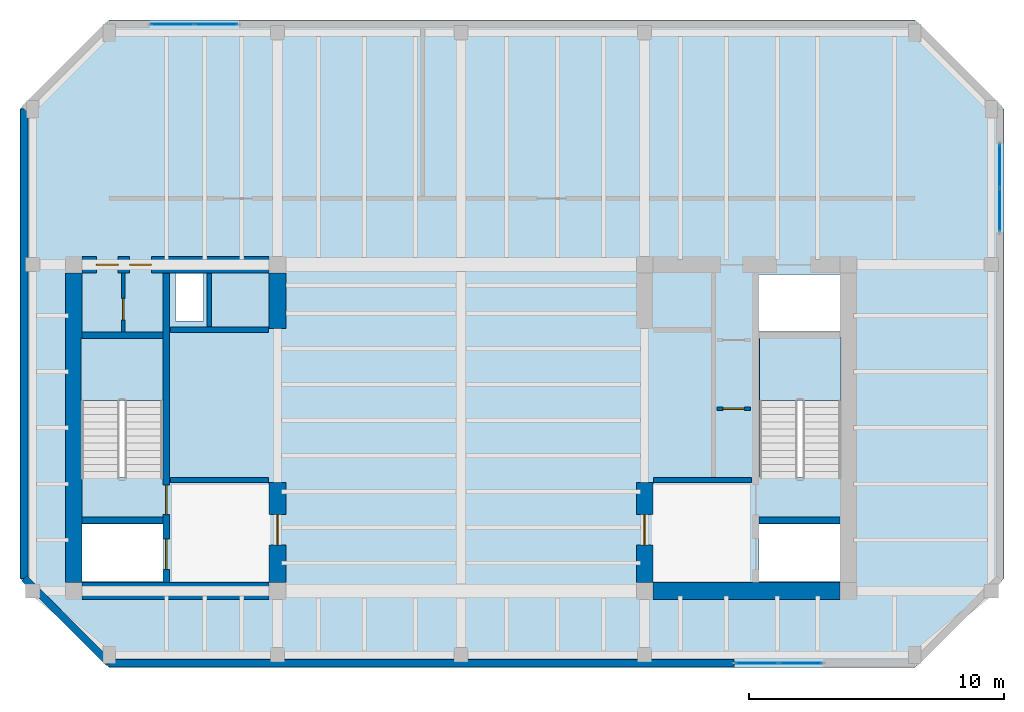
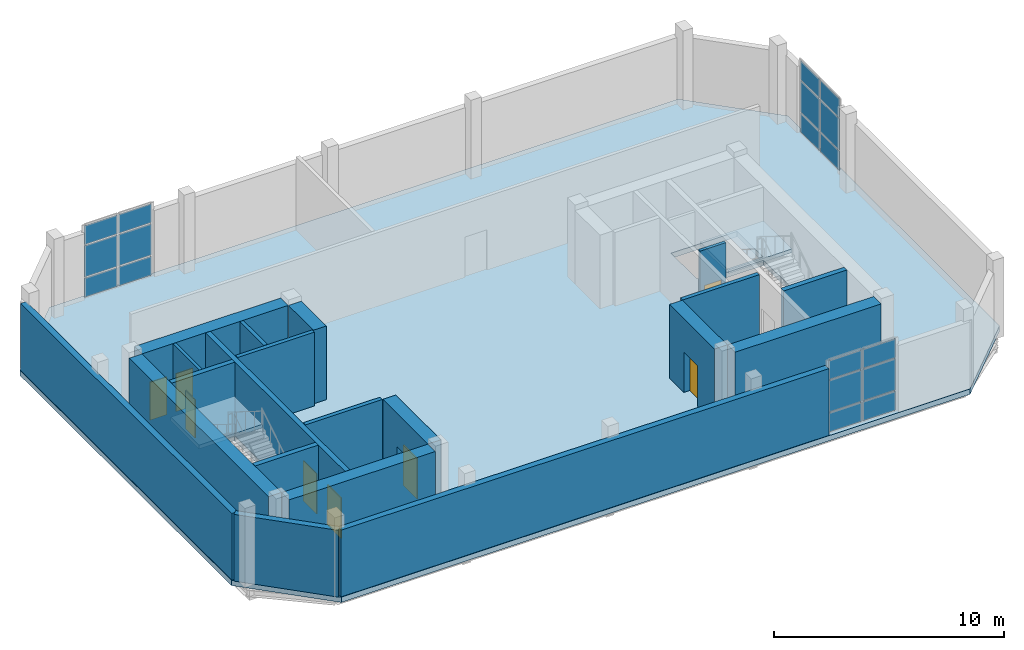
# One storey, part 5 of 7: 20 walls, 18 plates, 8 doors, 3 slabs, 8 openings, 5 elements without a shape of their own.
"""IFC4 building model written with IfcOpenShell, lengths in metres."""

import ifcopenshell
import ifcopenshell.guid

model = None  # the IFC model being written
_history = None  # IfcOwnerHistory: only IFC2X3 demands one
_inside = {}  # id of a spatial element -> (the spatial element, [elements in it])
_under = {}  # id of a project, library or spatial element -> (it, [spatial elements below it])
_declared = {}  # id of a project -> (the project, [libraries it declares])
_typed = {}  # id of a type object -> (the type object, [elements of that type])
_made_of = {}  # id of a material, layer set ... -> (it, [elements and type objects made of it])


def new_model(schema):
    """Start an empty IFC model of exactly this schema.

    Asked for "IFC4X3", IfcOpenShell would pick the latest addendum, in which some entities
    have other attributes; the version numbers below select the first issue.
    IFC2X3 requires an IfcOwnerHistory on every rooted entity: one is made here for all.
    """
    global model, _history
    if schema == "IFC4X3":
        model = ifcopenshell.file(schema_version=(4, 3, 0, 0))
    else:
        model = ifcopenshell.file(schema=schema)
    _inside.clear()
    _under.clear()
    _declared.clear()
    _typed.clear()
    _made_of.clear()
    _history = None
    if model.schema == "IFC2X3":
        org = make("IfcOrganization", Name="unknown")
        user = make(
            "IfcPersonAndOrganization",
            ThePerson=make("IfcPerson", FamilyName="unknown"),
            TheOrganization=org,
        )
        app = make(
            "IfcApplication",
            ApplicationDeveloper=org,
            Version="unknown",
            ApplicationFullName="unknown",
            ApplicationIdentifier="unknown",
        )
        _history = make(
            "IfcOwnerHistory",
            OwningUser=user,
            OwningApplication=app,
            ChangeAction="ADDED",
            CreationDate=0,
        )
    return model


def make(cls, **values):
    """One entity of the class cls with the attributes given. An attribute that is None is left unset."""
    return model.create_entity(
        cls, **{name: value for name, value in values.items() if value is not None}
    )


def rooted(cls, **values):
    """An entity with a GlobalId (a new one), such as an element, a storey or a relation."""
    return make(cls, GlobalId=ifcopenshell.guid.new(), OwnerHistory=_history, **values)


def si_unit(unit_type, name, prefix=None):
    """IfcSIUnit, for example si_unit("LENGTHUNIT", "METRE", prefix="MILLI")."""
    return make("IfcSIUnit", UnitType=unit_type, Prefix=prefix, Name=name)


def assignment(units):
    """IfcUnitAssignment: the units of a project."""
    return None if units is None else make("IfcUnitAssignment", Units=units)


def point(xyz):
    """IfcCartesianPoint."""
    return None if xyz is None else make("IfcCartesianPoint", Coordinates=xyz)


def direction(xyz):
    """IfcDirection."""
    return None if xyz is None else make("IfcDirection", DirectionRatios=xyz)


def frame(location, z_axis=None, x_axis=None):
    """IfcAxis2Placement3D, a coordinate frame: its origin and axes. An axis left out is left unset."""
    return make(
        "IfcAxis2Placement3D",
        Location=point(location),
        Axis=direction(z_axis),
        RefDirection=direction(x_axis),
    )


def frame_2d(location, x_axis=None):
    """IfcAxis2Placement2D, a coordinate frame in the plane: its origin and x axis."""
    return make(
        "IfcAxis2Placement2D", Location=point(location), RefDirection=direction(x_axis)
    )


def origin():
    """The frame at (0, 0, 0) with its axes left unset."""
    return frame((0.0, 0.0, 0.0))


def origin_2d():
    """The frame at (0, 0) in the plane with its x axis left unset."""
    return frame_2d((0.0, 0.0))


def place(relative_to, where):
    """IfcLocalPlacement: puts the frame where relative to a parent placement (None: the world)."""
    return make(
        "IfcLocalPlacement", PlacementRelTo=relative_to, RelativePlacement=where
    )


def context(
    kind, dimensions, precision=None, world=None, true_north=None, identifier=None
):
    """IfcGeometricRepresentationContext, for example the 3D "Model" context."""
    return make(
        "IfcGeometricRepresentationContext",
        ContextIdentifier=identifier,
        ContextType=kind,
        CoordinateSpaceDimension=dimensions,
        Precision=precision,
        WorldCoordinateSystem=world,
        TrueNorth=true_north,
    )


def subcontext(parent, identifier, kind, view, scale=None):
    """IfcGeometricRepresentationSubContext, for example "Body" below "Model"."""
    return make(
        "IfcGeometricRepresentationSubContext",
        ContextIdentifier=identifier,
        ContextType=kind,
        ParentContext=parent,
        TargetScale=scale,
        TargetView=view,
    )


def project(units=None, contexts=None):
    """IfcProject with its units and contexts."""
    return rooted(
        "IfcProject",
        Name="project",
        RepresentationContexts=contexts,
        UnitsInContext=assignment(units),
    )


def spatial(cls, under=None, at=None, **own):
    """A site, building, storey or space (cls), placed at a placement, below another one or the project."""
    s = rooted(cls, ObjectPlacement=at, **own)
    if under is not None:
        _under.setdefault(under.id(), (under, []))[1].append(s)
    return s


def polyline(points):
    """IfcPolyline through the points."""
    return make("IfcPolyline", Points=[point(p) for p in points])


def profile(cls, at=None, kind="AREA", **sizes):
    """A parametric profile (cls). Its sizes go by their IFC names, for example OverallWidth=200.0."""
    return make(cls, ProfileType=kind, Position=at, **sizes)


def rectangle(**sizes):
    """IfcRectangleProfileDef."""
    return profile("IfcRectangleProfileDef", **sizes)


def outline(outer, holes=None, kind="AREA"):
    """IfcArbitraryClosedProfileDef: a profile drawn as a closed curve; with holes, ...WithVoids."""
    if holes is None:
        return make("IfcArbitraryClosedProfileDef", ProfileType=kind, OuterCurve=outer)
    return make(
        "IfcArbitraryProfileDefWithVoids",
        ProfileType=kind,
        OuterCurve=outer,
        InnerCurves=holes,
    )


def extrude(swept, where, along, depth):
    """IfcExtrudedAreaSolid: the profile swept, set in the frame where, extruded along a direction by depth."""
    return make(
        "IfcExtrudedAreaSolid",
        SweptArea=swept,
        Position=where,
        ExtrudedDirection=direction(along),
        Depth=depth,
    )


def shape(context_of_items, identifier, shape_type, items):
    """IfcShapeRepresentation: the items that make up one representation, for example the "Body"."""
    return make(
        "IfcShapeRepresentation",
        ContextOfItems=context_of_items,
        RepresentationIdentifier=identifier,
        RepresentationType=shape_type,
        Items=items,
    )


def material(Name=None, Category=None):
    """IfcMaterial."""
    return make("IfcMaterial", Name=Name, Category=Category)


def layer(
    of_material, thickness, ventilated=None, Name=None, Category=None, Priority=None
):
    """IfcMaterialLayer: one layer of a wall or slab, of a material (None: an air gap)."""
    return make(
        "IfcMaterialLayer",
        Material=of_material,
        LayerThickness=thickness,
        IsVentilated=ventilated,
        Name=Name,
        Category=Category,
        Priority=Priority,
    )


def layer_set(layers, Name=None):
    """IfcMaterialLayerSet."""
    return make("IfcMaterialLayerSet", MaterialLayers=layers, LayerSetName=Name)


def made_of(thing, what):
    """Note that an element or type object is made of a material, layer set ...; save() writes the relation."""
    if what is not None:
        _made_of.setdefault(what.id(), (what, []))[1].append(thing)
    return thing


def type_object(cls, material=None, **own):
    """A type object (cls), such as IfcWallType, which elements share."""
    return made_of(rooted(cls, **own), material)


def element(
    cls,
    number,
    at=None,
    inside=None,
    cuts=None,
    type_object=None,
    material=None,
    context=None,
    identifier="Body",
    shape_type=None,
    held_by="IfcProductDefinitionShape",
    body=None,
    shapes=None,
    **own,
):
    """One element of the class cls, such as IfcWall. Its Tag is "e" and its number.

    at: its placement. inside: the storey or other place that contains it. cuts: it is an
    opening in that element (IfcRelVoidsElement). A single representation is given by context,
    identifier, shape_type and body (its items); several are given by shapes. held_by: the class
    of the entity that holds the representations. save() writes the other relations.
    """
    e = rooted(cls, Tag="e%d" % number, ObjectPlacement=at, **own)
    if body is not None:
        shapes = [shape(context, identifier, shape_type, body)]
    if shapes is not None:
        e.Representation = make(held_by, Representations=shapes)
    if inside is not None:
        _inside.setdefault(inside.id(), (inside, []))[1].append(e)
    if cuts is not None:
        rooted(
            "IfcRelVoidsElement", RelatingBuildingElement=cuts, RelatedOpeningElement=e
        )
    if type_object is not None:
        _typed.setdefault(type_object.id(), (type_object, []))[1].append(e)
    return made_of(e, material)


def fill(opening, filler):
    """IfcRelFillsElement: the door or window that sits in an opening."""
    return rooted(
        "IfcRelFillsElement",
        RelatingOpeningElement=opening,
        RelatedBuildingElement=filler,
    )


def aggregate(whole, parts):
    """IfcRelAggregates: a whole, such as a stair, and the parts it consists of."""
    return rooted("IfcRelAggregates", RelatingObject=whole, RelatedObjects=parts)


def save(model, path):
    """Write the relations noted so far, then the file.

    IfcRelAggregates (storeys below a building ...), IfcRelContainedInSpatialStructure (elements
    in a storey), IfcRelDefinesByType, IfcRelAssociatesMaterial and IfcRelDeclares: one each for
    every whole, place, type object, material and project.
    """
    for whole, parts in _under.values():
        aggregate(whole, parts)
    for where, things in _inside.values():
        rooted(
            "IfcRelContainedInSpatialStructure",
            RelatedElements=things,
            RelatingStructure=where,
        )
    for kind, things in _typed.values():
        rooted("IfcRelDefinesByType", RelatedObjects=things, RelatingType=kind)
    for what, things in _made_of.values():
        rooted("IfcRelAssociatesMaterial", RelatedObjects=things, RelatingMaterial=what)
    for by, libraries in _declared.values():
        rooted("IfcRelDeclares", RelatingContext=by, RelatedDefinitions=libraries)
    model.write(path)


model = new_model("IFC4")

# Units and contexts
model_context = context("Model", 3, precision=1e-05, world=origin(), true_north=direction((0.0, 1.0)))
body_context = subcontext(model_context, "Body", "Model", "MODEL_VIEW")
ifc_project = project(units=[si_unit("LENGTHUNIT", "METRE"), si_unit("AREAUNIT", "SQUARE_METRE"), si_unit("VOLUMEUNIT", "CUBIC_METRE"), si_unit("PLANEANGLEUNIT", "RADIAN"), si_unit("MASSUNIT", "GRAM", prefix="KILO")], contexts=[model_context])

# Site, building, storey
site_placement = place(None, origin())
site = spatial("IfcSite", under=ifc_project, at=site_placement, CompositionType="ELEMENT")
building_placement = place(site_placement, origin())
building = spatial("IfcBuilding", under=site, at=building_placement, Name="Kranthara Brick Stack", CompositionType="ELEMENT")
storey_placement = place(building_placement, frame((0.0, 0.0, 296.39990234375)))
storey = spatial("IfcBuildingStorey", under=building, at=storey_placement, Name="L78", CompositionType="ELEMENT", Elevation=296.39990234375)

# Curtain wall, plates
ifc_material_1 = material(Name="Bronze anodised aluminium and low-E glass", Category="aluminium")
ifc_layer_1 = layer(ifc_material_1, 0.25)
ifc_layer_set_1 = layer_set([ifc_layer_1], Name="Bronze anodised aluminium and low-E glass")
curtain_wall_type = type_object("IfcCurtainWallType", Name="CW-SYS6-CROWN", PredefinedType="USERDEFINED", material=ifc_layer_set_1)
curtain_wall_1_placement = place(storey_placement, origin())
curtain_wall_1 = element("IfcCurtainWall", 1, at=curtain_wall_1_placement, inside=storey, type_object=curtain_wall_type, Name="L78 Curtain Wall CW6-L78-01", ObjectType="UNITISED CURTAIN WALL", PredefinedType="USERDEFINED")
ifc_material_2 = material(Name="Double-glazed low-E vision glass", Category="glass")
ifc_layer_2 = layer(ifc_material_2, 0.028076171875)
ifc_layer_set_2 = layer_set([ifc_layer_2], Name="Double-glazed low-E vision glass")
plate_type = type_object("IfcPlateType", Name="CWP-GLZ-28", PredefinedType="CURTAIN_PANEL", material=ifc_layer_set_2)
plate_1_placement = place(storey_placement, frame((41.32177734375, 17.969970703125, 0.065185546875), z_axis=(0.0, 0.0, 1.0), x_axis=(-1.0, 0.0, 0.0)))
plate_1 = element("IfcPlate", 2, at=plate_1_placement, type_object=plate_type, Name="CW panel 1.1", PredefinedType="CURTAIN_PANEL", context=body_context, shape_type="SweptSolid", body=[
    extrude(rectangle(XDim=1.652587890625, YDim=0.028076171875, at=origin_2d()), origin(), (0.0, 0.0, 1.0), 1.0),
])
plate_2_placement = place(storey_placement, frame((41.32177734375, 17.969970703125, 1.13037109375), z_axis=(0.0, 0.0, 1.0), x_axis=(-1.0, 0.0, 0.0)))
plate_2 = element("IfcPlate", 3, at=plate_2_placement, type_object=plate_type, Name="CW panel 1.2", PredefinedType="CURTAIN_PANEL", context=body_context, shape_type="SweptSolid", body=[
    extrude(rectangle(XDim=1.652587890625, YDim=0.028076171875, at=origin_2d()), origin(), (0.0, 0.0, 1.0), 1.659912109375),
])
plate_3_placement = place(storey_placement, frame((41.32177734375, 17.969970703125, 2.85498046875), z_axis=(0.0, 0.0, 1.0), x_axis=(-1.0, 0.0, 0.0)))
plate_3 = element("IfcPlate", 4, at=plate_3_placement, type_object=plate_type, Name="CW panel 1.3", PredefinedType="CURTAIN_PANEL", context=body_context, shape_type="SweptSolid", body=[
    extrude(rectangle(XDim=1.652587890625, YDim=0.028076171875, at=origin_2d()), origin(), (0.0, 0.0, 1.0), 1.0),
])
plate_4_placement = place(storey_placement, frame((39.604248046875, 17.969970703125, 0.065185546875), z_axis=(0.0, 0.0, 1.0), x_axis=(-1.0, 0.0, 0.0)))
plate_4 = element("IfcPlate", 5, at=plate_4_placement, type_object=plate_type, Name="CW panel 2.1", PredefinedType="CURTAIN_PANEL", context=body_context, shape_type="SweptSolid", body=[
    extrude(rectangle(XDim=1.652587890625, YDim=0.028076171875, at=origin_2d()), origin(), (0.0, 0.0, 1.0), 1.0),
])
plate_5_placement = place(storey_placement, frame((39.604248046875, 17.969970703125, 1.13037109375), z_axis=(0.0, 0.0, 1.0), x_axis=(-1.0, 0.0, 0.0)))
plate_5 = element("IfcPlate", 6, at=plate_5_placement, type_object=plate_type, Name="CW panel 2.2", PredefinedType="CURTAIN_PANEL", context=body_context, shape_type="SweptSolid", body=[
    extrude(rectangle(XDim=1.652587890625, YDim=0.028076171875, at=origin_2d()), origin(), (0.0, 0.0, 1.0), 1.659912109375),
])
plate_6_placement = place(storey_placement, frame((39.604248046875, 17.969970703125, 2.85498046875), z_axis=(0.0, 0.0, 1.0), x_axis=(-1.0, 0.0, 0.0)))
plate_6 = element("IfcPlate", 7, at=plate_6_placement, type_object=plate_type, Name="CW panel 2.3", PredefinedType="CURTAIN_PANEL", context=body_context, shape_type="SweptSolid", body=[
    extrude(rectangle(XDim=1.652587890625, YDim=0.028076171875, at=origin_2d()), origin(), (0.0, 0.0, 1.0), 1.0),
])
aggregate(curtain_wall_1, [plate_1, plate_2, plate_3, plate_4, plate_5, plate_6])

curtain_wall_2_placement = place(storey_placement, origin())
curtain_wall_2 = element("IfcCurtainWall", 8, at=curtain_wall_2_placement, inside=storey, type_object=curtain_wall_type, Name="L78 Curtain Wall CW6-L78-02", ObjectType="UNITISED CURTAIN WALL", PredefinedType="USERDEFINED")
plate_7_placement = place(storey_placement, frame((16.67919921875, 43.030029296875, 0.065185546875), z_axis=(0.0, 0.0, 1.0), x_axis=(1.0, 0.0, 0.0)))
plate_7 = element("IfcPlate", 9, at=plate_7_placement, type_object=plate_type, Name="CW panel 1.1", PredefinedType="CURTAIN_PANEL", context=body_context, shape_type="SweptSolid", body=[
    extrude(rectangle(XDim=1.652587890625, YDim=0.028076171875, at=origin_2d()), origin(), (0.0, 0.0, 1.0), 1.0),
])
plate_8_placement = place(storey_placement, frame((16.67919921875, 43.030029296875, 1.13037109375), z_axis=(0.0, 0.0, 1.0), x_axis=(1.0, 0.0, 0.0)))
plate_8 = element("IfcPlate", 10, at=plate_8_placement, type_object=plate_type, Name="CW panel 1.2", PredefinedType="CURTAIN_PANEL", context=body_context, shape_type="SweptSolid", body=[
    extrude(rectangle(XDim=1.652587890625, YDim=0.028076171875, at=origin_2d()), origin(), (0.0, 0.0, 1.0), 1.659912109375),
])
plate_9_placement = place(storey_placement, frame((16.67919921875, 43.030029296875, 2.85498046875), z_axis=(0.0, 0.0, 1.0), x_axis=(1.0, 0.0, 0.0)))
plate_9 = element("IfcPlate", 11, at=plate_9_placement, type_object=plate_type, Name="CW panel 1.3", PredefinedType="CURTAIN_PANEL", context=body_context, shape_type="SweptSolid", body=[
    extrude(rectangle(XDim=1.652587890625, YDim=0.028076171875, at=origin_2d()), origin(), (0.0, 0.0, 1.0), 1.0),
])
plate_10_placement = place(storey_placement, frame((18.396728515625, 43.030029296875, 0.065185546875), z_axis=(0.0, 0.0, 1.0), x_axis=(1.0, 0.0, 0.0)))
plate_10 = element("IfcPlate", 12, at=plate_10_placement, type_object=plate_type, Name="CW panel 2.1", PredefinedType="CURTAIN_PANEL", context=body_context, shape_type="SweptSolid", body=[
    extrude(rectangle(XDim=1.652587890625, YDim=0.028076171875, at=origin_2d()), origin(), (0.0, 0.0, 1.0), 1.0),
])
plate_11_placement = place(storey_placement, frame((18.396728515625, 43.030029296875, 1.13037109375), z_axis=(0.0, 0.0, 1.0), x_axis=(1.0, 0.0, 0.0)))
plate_11 = element("IfcPlate", 13, at=plate_11_placement, type_object=plate_type, Name="CW panel 2.2", PredefinedType="CURTAIN_PANEL", context=body_context, shape_type="SweptSolid", body=[
    extrude(rectangle(XDim=1.652587890625, YDim=0.028076171875, at=origin_2d()), origin(), (0.0, 0.0, 1.0), 1.659912109375),
])
plate_12_placement = place(storey_placement, frame((18.396728515625, 43.030029296875, 2.85498046875), z_axis=(0.0, 0.0, 1.0), x_axis=(1.0, 0.0, 0.0)))
plate_12 = element("IfcPlate", 14, at=plate_12_placement, type_object=plate_type, Name="CW panel 2.3", PredefinedType="CURTAIN_PANEL", context=body_context, shape_type="SweptSolid", body=[
    extrude(rectangle(XDim=1.652587890625, YDim=0.028076171875, at=origin_2d()), origin(), (0.0, 0.0, 1.0), 1.0),
])
aggregate(curtain_wall_2, [plate_7, plate_8, plate_9, plate_10, plate_11, plate_12])

curtain_wall_3_placement = place(storey_placement, origin())
curtain_wall_3 = element("IfcCurtainWall", 15, at=curtain_wall_3_placement, inside=storey, type_object=curtain_wall_type, Name="L78 Curtain Wall CW6-L78-03", ObjectType="UNITISED CURTAIN WALL", PredefinedType="USERDEFINED")
plate_13_placement = place(storey_placement, frame((49.1298828125, 37.470703125, 0.065185546875), z_axis=(0.0, 0.0, 1.0), x_axis=(0.0, -1.0, 0.0)))
plate_13 = element("IfcPlate", 16, at=plate_13_placement, type_object=plate_type, Name="CW panel 1.1", PredefinedType="CURTAIN_PANEL", context=body_context, shape_type="SweptSolid", body=[
    extrude(rectangle(XDim=1.652587890625, YDim=0.028076171875, at=origin_2d()), origin(), (0.0, 0.0, 1.0), 1.0),
])
plate_14_placement = place(storey_placement, frame((49.1298828125, 37.470703125, 1.13037109375), z_axis=(0.0, 0.0, 1.0), x_axis=(0.0, -1.0, 0.0)))
plate_14 = element("IfcPlate", 17, at=plate_14_placement, type_object=plate_type, Name="CW panel 1.2", PredefinedType="CURTAIN_PANEL", context=body_context, shape_type="SweptSolid", body=[
    extrude(rectangle(XDim=1.652587890625, YDim=0.028076171875, at=origin_2d()), origin(), (0.0, 0.0, 1.0), 1.659912109375),
])
plate_15_placement = place(storey_placement, frame((49.1298828125, 37.470703125, 2.85498046875), z_axis=(0.0, 0.0, 1.0), x_axis=(0.0, -1.0, 0.0)))
plate_15 = element("IfcPlate", 18, at=plate_15_placement, type_object=plate_type, Name="CW panel 1.3", PredefinedType="CURTAIN_PANEL", context=body_context, shape_type="SweptSolid", body=[
    extrude(rectangle(XDim=1.652587890625, YDim=0.028076171875, at=origin_2d()), origin(), (0.0, 0.0, 1.0), 1.0),
])
plate_16_placement = place(storey_placement, frame((49.1298828125, 35.753173828125, 0.065185546875), z_axis=(0.0, 0.0, 1.0), x_axis=(0.0, -1.0, 0.0)))
plate_16 = element("IfcPlate", 19, at=plate_16_placement, type_object=plate_type, Name="CW panel 2.1", PredefinedType="CURTAIN_PANEL", context=body_context, shape_type="SweptSolid", body=[
    extrude(rectangle(XDim=1.652587890625, YDim=0.028076171875, at=origin_2d()), origin(), (0.0, 0.0, 1.0), 1.0),
])
plate_17_placement = place(storey_placement, frame((49.1298828125, 35.753173828125, 1.13037109375), z_axis=(0.0, 0.0, 1.0), x_axis=(0.0, -1.0, 0.0)))
plate_17 = element("IfcPlate", 20, at=plate_17_placement, type_object=plate_type, Name="CW panel 2.2", PredefinedType="CURTAIN_PANEL", context=body_context, shape_type="SweptSolid", body=[
    extrude(rectangle(XDim=1.652587890625, YDim=0.028076171875, at=origin_2d()), origin(), (0.0, 0.0, 1.0), 1.659912109375),
])
plate_18_placement = place(storey_placement, frame((49.1298828125, 35.753173828125, 2.85498046875), z_axis=(0.0, 0.0, 1.0), x_axis=(0.0, -1.0, 0.0)))
plate_18 = element("IfcPlate", 21, at=plate_18_placement, type_object=plate_type, Name="CW panel 2.3", PredefinedType="CURTAIN_PANEL", context=body_context, shape_type="SweptSolid", body=[
    extrude(rectangle(XDim=1.652587890625, YDim=0.028076171875, at=origin_2d()), origin(), (0.0, 0.0, 1.0), 1.0),
])
aggregate(curtain_wall_3, [plate_13, plate_14, plate_15, plate_16, plate_17, plate_18])

# Slab
ifc_material_3 = material(Name="Concrete C45/55", Category="concrete")
ifc_layer_3 = layer(ifc_material_3, 0.280029296875)
ifc_layer_set_3 = layer_set([ifc_layer_3], Name="Concrete C45/55")
slab_type_1 = type_object("IfcSlabType", Name="SLB-CRN-280", PredefinedType="FLOOR", material=ifc_layer_set_3)
slab_1_placement = place(storey_placement, frame((0.0, 0.0, -0.27978515625)))
element("IfcSlab", 22, at=slab_1_placement, inside=storey, type_object=slab_type_1, Name="L78 Structural Floor Plate", PredefinedType="FLOOR", context=body_context, shape_type="SweptSolid", body=[
    extrude(outline(polyline([(14.199951171875, 17.800048828125), (45.800048828125, 17.800048828125), (49.300048828125, 21.300048828125), (49.300048828125, 39.699951171875), (45.800048828125, 43.199951171875), (14.199951171875, 43.199951171875), (10.699951171875, 39.699951171875), (10.699951171875, 21.300048828125), (14.199951171875, 17.800048828125)]), holes=[polyline([(13.10009765625, 25.280029296875), (16.300048828125, 25.280029296875), (16.300048828125, 30.75), (13.10009765625, 30.75), (13.10009765625, 25.280029296875)]), polyline([(39.699951171875, 25.280029296875), (42.89990234375, 25.280029296875), (42.89990234375, 30.75), (39.699951171875, 30.75), (39.699951171875, 25.280029296875)]), polyline([(13.0, 21.179931640625), (16.320068359375, 21.179931640625), (16.320068359375, 23.419921875), (13.0, 23.419921875), (13.0, 21.179931640625)]), polyline([(39.679931640625, 21.179931640625), (43.0, 21.179931640625), (43.0, 23.419921875), (39.679931640625, 23.419921875), (39.679931640625, 21.179931640625)]), polyline([(39.679931640625, 30.97998046875), (43.0, 30.97998046875), (43.0, 33.219970703125), (39.679931640625, 33.219970703125), (39.679931640625, 30.97998046875)]), polyline([(16.800048828125, 31.39990234375), (17.89990234375, 31.39990234375), (17.89990234375, 33.25), (16.800048828125, 33.25), (16.800048828125, 31.39990234375)])]), origin(), (0.0, 0.0, 1.0), 0.27978515625),
])

# Stair, slab
ifc_material_4 = material(Name="Concrete C45/55", Category="concrete")
stair_type = type_object("IfcStairType", Name="ST-CORE-24R", PredefinedType="HALF_TURN_STAIR", material=ifc_material_4)
stair_1_placement = place(storey_placement, origin())
stair_1 = element("IfcStair", 23, at=stair_1_placement, inside=storey, type_object=stair_type, Name="L78 West Core Protected Exit Stair ST01", PredefinedType="HALF_TURN_STAIR")
ifc_material_5 = material(Name="Concrete C45/55", Category="concrete")
ifc_layer_4 = layer(ifc_material_5, 0.199951171875)
ifc_layer_set_4 = layer_set([ifc_layer_4], Name="Concrete C45/55")
slab_type_2 = type_object("IfcSlabType", Name="SLB-LANDING-200", PredefinedType="LANDING", material=ifc_layer_set_4)
slab_2_placement = place(storey_placement, frame((0.0, 0.0, 1.900146484375)))
slab_2 = element("IfcSlab", 24, at=slab_2_placement, type_object=slab_type_2, Name="ST01 landing 1", PredefinedType="LANDING", context=body_context, shape_type="SweptSolid", body=[
    extrude(outline(polyline([(16.300048828125, 28.280029296875), (16.300048828125, 30.75), (13.10009765625, 30.75), (13.10009765625, 28.280029296875), (16.300048828125, 28.280029296875)])), origin(), (0.0, 0.0, 1.0), 0.199951171875),
])
aggregate(stair_1, [slab_2])

stair_2_placement = place(storey_placement, origin())
stair_2 = element("IfcStair", 25, at=stair_2_placement, inside=storey, type_object=stair_type, Name="L78 East Core Protected Exit Stair ST02", PredefinedType="HALF_TURN_STAIR")
slab_3_placement = place(storey_placement, frame((0.0, 0.0, 1.900146484375)))
slab_3 = element("IfcSlab", 26, at=slab_3_placement, type_object=slab_type_2, Name="ST02 landing 1", PredefinedType="LANDING", context=body_context, shape_type="SweptSolid", body=[
    extrude(outline(polyline([(42.89990234375, 28.280029296875), (42.89990234375, 30.75), (39.699951171875, 30.75), (39.699951171875, 28.280029296875), (42.89990234375, 28.280029296875)])), origin(), (0.0, 0.0, 1.0), 0.199951171875),
])
aggregate(stair_2, [slab_3])

# Walls
ifc_material_6 = material(Name="Precast concrete C45/55", Category="concrete")
ifc_layer_5 = layer(ifc_material_6, 0.300048828125)
ifc_layer_set_5 = layer_set([ifc_layer_5], Name="Precast concrete C45/55")
wall_type_1 = type_object("IfcWallType", Name="WL-BRK-CRWN-300", PredefinedType="STANDARD", material=ifc_layer_set_5)
wall_1_placement = place(storey_placement, frame((38.712890625, 17.969970703125, 0.0), z_axis=(0.0, 0.0, 1.0), x_axis=(-1.0, 0.0, 0.0)))
element("IfcWall", 27, at=wall_1_placement, inside=storey, type_object=wall_type_1, Name="L78 Exterior Brick Facade Wall SOUTH 2", PredefinedType="STANDARD", context=body_context, shape_type="SweptSolid", body=[
    extrude(rectangle(XDim=24.512939453125, YDim=0.300048828125, at=frame_2d((12.25634765625, 0.0))), origin(), (0.0, 0.0, 1.0), 3.545166015625),
])
wall_2_placement = place(storey_placement, frame((14.199951171875, 17.969970703125, 0.0), z_axis=(0.0, 0.0, 1.0), x_axis=(-0.707080859425, 0.707132701998, 0.0)))
element("IfcWall", 28, at=wall_2_placement, inside=storey, type_object=wall_type_1, Name="L78 Exterior Brick Facade Wall SW 1", PredefinedType="STANDARD", context=body_context, shape_type="SweptSolid", body=[
    extrude(rectangle(XDim=4.709228515625, YDim=0.300048828125, at=frame_2d((2.3544921875, 0.0))), origin(), (0.0, 0.0, 1.0), 3.545166015625),
])
wall_3_placement = place(storey_placement, frame((10.8701171875, 21.300048828125, 0.0), z_axis=(0.0, 0.0, 1.0), x_axis=(0.0, 1.0, 0.0)))
element("IfcWall", 29, at=wall_3_placement, inside=storey, type_object=wall_type_1, Name="L78 Exterior Brick Facade Wall WEST 1", PredefinedType="STANDARD", context=body_context, shape_type="SweptSolid", body=[
    extrude(rectangle(XDim=18.39990234375, YDim=0.300048828125, at=frame_2d((9.199951171875, 0.0))), origin(), (0.0, 0.0, 1.0), 3.545166015625),
])

# Wall, openings, doors
ifc_material_7 = material(Name="Concrete C50/60", Category="concrete")
ifc_layer_6 = layer(ifc_material_7, 0.25)
ifc_layer_set_6 = layer_set([ifc_layer_6], Name="Concrete C50/60")
wall_type_2 = type_object("IfcWallType", Name="WL-CORE-250", PredefinedType="SHEAR", material=ifc_layer_set_6)
wall_4_placement = place(storey_placement, frame((16.43505859375, 21.135009765625, 0.0), z_axis=(0.0, 0.0, 1.0), x_axis=(0.0, 1.0, 0.0)))
wall_4 = element("IfcWall", 30, at=wall_4_placement, inside=storey, type_object=wall_type_2, Name="L78 West Core Stair Bearing Spine Wall", PredefinedType="SHEAR", context=body_context, shape_type="SweptSolid", body=[
    extrude(rectangle(XDim=12.1298828125, YDim=0.25, at=frame_2d((6.06494140625, 0.0))), origin(), (0.0, 0.0, 1.0), 3.920166015625),
])
opening_1_placement = place(wall_4_placement, frame((0.514892578125, 0.0, 0.0)))
opening_1 = element("IfcOpeningElement", 31, at=opening_1_placement, cuts=wall_4, Name="Opening LD01", PredefinedType="OPENING", context=body_context, shape_type="SweptSolid", body=[
    extrude(rectangle(XDim=1.199951171875, YDim=2.14990234375, at=frame_2d((0.60009765625, 1.074951171875))), frame((0.0, 0.135009765625, 0.0), z_axis=(0.0, -1.0, 0.0), x_axis=(1.0, 0.0, 0.0)), (0.0, 0.0, 1.0), 0.27001953125),
])
opening_2_placement = place(wall_4_placement, frame((2.6650390625, 0.0, 0.0)))
opening_2 = element("IfcOpeningElement", 32, at=opening_2_placement, cuts=wall_4, Name="Opening D05", PredefinedType="OPENING", context=body_context, shape_type="SweptSolid", body=[
    extrude(rectangle(XDim=1.14990234375, YDim=2.14990234375, at=frame_2d((0.574951171875, 1.074951171875))), frame((0.0, 0.135009765625, 0.0), z_axis=(0.0, -1.0, 0.0), x_axis=(1.0, 0.0, 0.0)), (0.0, 0.0, 1.0), 0.27001953125),
])
ifc_material_8 = material(Name="Stainless steel sliding landing door", Category="steel")
door_type_1 = type_object("IfcDoorType", Name="DR-LD-FF1200", OperationType="DOUBLE_DOOR_SLIDING", PredefinedType="DOOR", material=ifc_material_8)
door_1_placement = place(opening_1_placement, origin())
door_1 = element("IfcDoor", 33, at=door_1_placement, inside=storey, type_object=door_type_1, Name="L78 Firefighting Lift FF-01 Landing Door", OperationType="DOUBLE_DOOR_SLIDING", OverallHeight=2.14990234375, OverallWidth=1.199951171875, PredefinedType="DOOR", context=body_context, shape_type="SweptSolid", body=[
    extrude(rectangle(XDim=1.199951171875, YDim=2.14990234375, at=frame_2d((0.60009765625, 1.074951171875))), frame((0.0, 0.02490234375, 0.0), z_axis=(0.0, -1.0, 0.0), x_axis=(1.0, 0.0, 0.0)), (0.0, 0.0, 1.0), 0.050048828125),
])
fill(opening_1, door_1)
ifc_material_9 = material(Name="Solid-core hardwood timber leaf in steel frame", Category="steel")
door_type_2 = type_object("IfcDoorType", Name="DR-ST-1150", OperationType="NOTDEFINED", PredefinedType="DOOR", material=ifc_material_9)
door_2_placement = place(opening_2_placement, origin())
door_2 = element("IfcDoor", 34, at=door_2_placement, inside=storey, type_object=door_type_2, Name="L78 Exit Stair ST01 Door", OperationType="SINGLE_SWING_RIGHT", OverallHeight=2.14990234375, OverallWidth=1.14990234375, PredefinedType="DOOR", context=body_context, shape_type="SweptSolid", body=[
    extrude(rectangle(XDim=1.14990234375, YDim=2.14990234375, at=frame_2d((0.574951171875, 1.074951171875))), frame((0.0, 0.02490234375, 0.0), z_axis=(0.0, -1.0, 0.0), x_axis=(1.0, 0.0, 0.0)), (0.0, 0.0, 1.0), 0.050048828125),
])
fill(opening_2, door_2)

# Walls
for number, where, z_axis, x_axis, name in (
    (35, (13.135009765625, 23.570068359375, 0.0), (0.0, 0.0, 1.0), (1.0, 0.0, 0.0), "L78 West Stairwell Bearing Wall WFF"),
    (36, (13.135009765625, 30.830078125, 0.0), (0.0, 0.0, 1.0), (1.0, 0.0, 0.0), "L78 West Stairwell Bearing Wall WST"),
    (37, (39.68994140625, 23.570068359375, 0.0), (0.0, 0.0, 1.0), (1.0, 0.0, 0.0), "L78 East Stairwell Bearing Wall EFF"),
):
    element("IfcWall", number, at=place(storey_placement, frame(where, z_axis=z_axis, x_axis=x_axis)), inside=storey, type_object=wall_type_2, Name=name, PredefinedType="SHEAR", context=body_context, shape_type="SweptSolid", body=[
        extrude(rectangle(XDim=3.175048828125, YDim=0.25, at=frame_2d((1.58740234375, 0.0))), origin(), (0.0, 0.0, 1.0), 3.920166015625),
    ])
ifc_material_10 = material(Name="Concrete C60/75", Category="concrete")
ifc_layer_7 = layer(ifc_material_10, 0.64990234375)
ifc_layer_set_7 = layer_set([ifc_layer_7], Name="Concrete C60/75")
wall_type_3 = type_object("IfcWallType", Name="WL-CORE-650", PredefinedType="SHEAR", material=ifc_layer_set_7)
wall_5_placement = place(storey_placement, frame((12.800048828125, 21.1298828125, 0.0), z_axis=(0.0, 0.0, 1.0), x_axis=(0.0, 1.0, 0.0)))
element("IfcWall", 38, at=wall_5_placement, inside=storey, type_object=wall_type_3, Name="L78 West Core Shear Wall West", PredefinedType="SHEAR", context=body_context, shape_type="SweptSolid", body=[
    extrude(rectangle(XDim=12.14013671875, YDim=0.64990234375, at=frame_2d((6.070068359375, 0.0))), origin(), (0.0, 0.0, 1.0), 3.920166015625),
])
wall_6_placement = place(storey_placement, frame((13.1298828125, 20.800048828125, 0.0), z_axis=(0.0, 0.0, 1.0), x_axis=(1.0, 0.0, 0.0)))
element("IfcWall", 39, at=wall_6_placement, inside=storey, type_object=wall_type_3, Name="L78 West Core Shear Wall South", PredefinedType="SHEAR", context=body_context, shape_type="SweptSolid", body=[
    extrude(rectangle(XDim=7.340087890625, YDim=0.64990234375, at=frame_2d((3.669921875, 0.0))), origin(), (0.0, 0.0, 1.0), 3.920166015625),
])

# Wall, openings, doors
wall_7_placement = place(storey_placement, frame((13.1298828125, 33.60009765625, 0.0), z_axis=(0.0, 0.0, 1.0), x_axis=(1.0, 0.0, 0.0)))
wall_7 = element("IfcWall", 40, at=wall_7_placement, inside=storey, type_object=wall_type_3, Name="L78 West Core Shear Wall North", PredefinedType="SHEAR", context=body_context, shape_type="SweptSolid", body=[
    extrude(rectangle(XDim=7.340087890625, YDim=0.64990234375, at=frame_2d((3.669921875, 0.0))), origin(), (0.0, 0.0, 1.0), 3.920166015625),
])
opening_3_placement = place(wall_7_placement, frame((0.570068359375, 0.0, 0.0)))
opening_3 = element("IfcOpeningElement", 41, at=opening_3_placement, cuts=wall_7, Name="Opening D10", PredefinedType="OPENING", context=body_context, shape_type="SweptSolid", body=[
    extrude(rectangle(XDim=0.85009765625, YDim=2.02001953125, at=frame_2d((0.425048828125, 1.010009765625))), frame((0.0, 0.3349609375, 0.0), z_axis=(0.0, -1.0, 0.0), x_axis=(1.0, 0.0, 0.0)), (0.0, 0.0, 1.0), 0.669921875),
])
opening_4_placement = place(wall_7_placement, frame((1.8701171875, 0.0, 0.0)))
opening_4 = element("IfcOpeningElement", 42, at=opening_4_placement, cuts=wall_7, Name="Opening D10", PredefinedType="OPENING", context=body_context, shape_type="SweptSolid", body=[
    extrude(rectangle(XDim=0.85009765625, YDim=2.02001953125, at=frame_2d((0.425048828125, 1.010009765625))), frame((0.0, 0.3349609375, 0.0), z_axis=(0.0, -1.0, 0.0), x_axis=(1.0, 0.0, 0.0)), (0.0, 0.0, 1.0), 0.669921875),
])
ifc_material_11 = material(Name="Solid-core hardwood timber leaf in steel frame", Category="steel")
door_type_3 = type_object("IfcDoorType", Name="DR-RSR-850", OperationType="NOTDEFINED", PredefinedType="DOOR", material=ifc_material_11)
door_3_placement = place(opening_3_placement, origin())
door_3 = element("IfcDoor", 43, at=door_3_placement, inside=storey, type_object=door_type_3, Name="L78 West Core Service Door 1", OperationType="SINGLE_SWING_LEFT", OverallHeight=2.02001953125, OverallWidth=0.85009765625, PredefinedType="DOOR", context=body_context, shape_type="SweptSolid", body=[
    extrude(rectangle(XDim=0.85009765625, YDim=2.02001953125, at=frame_2d((0.425048828125, 1.010009765625))), frame((0.0, 0.02490234375, 0.0), z_axis=(0.0, -1.0, 0.0), x_axis=(1.0, 0.0, 0.0)), (0.0, 0.0, 1.0), 0.050048828125),
])
fill(opening_3, door_3)
door_4_placement = place(opening_4_placement, origin())
door_4 = element("IfcDoor", 44, at=door_4_placement, inside=storey, type_object=door_type_3, Name="L78 West Core Service Door 2", OperationType="SINGLE_SWING_RIGHT", OverallHeight=2.02001953125, OverallWidth=0.85009765625, PredefinedType="DOOR", context=body_context, shape_type="SweptSolid", body=[
    extrude(rectangle(XDim=0.85009765625, YDim=2.02001953125, at=frame_2d((0.425048828125, 1.010009765625))), frame((0.0, 0.02490234375, 0.0), z_axis=(0.0, -1.0, 0.0), x_axis=(1.0, 0.0, 0.0)), (0.0, 0.0, 1.0), 0.050048828125),
])
fill(opening_4, door_4)

# Wall, opening, door
wall_8_placement = place(storey_placement, frame((20.800048828125, 21.1298828125, 0.0), z_axis=(0.0, 0.0, 1.0), x_axis=(0.0, 1.0, 0.0)))
wall_8 = element("IfcWall", 45, at=wall_8_placement, inside=storey, type_object=wall_type_3, Name="L78 West Core Lobby Shear Wall", PredefinedType="SHEAR", context=body_context, shape_type="SweptSolid", body=[
    extrude(rectangle(XDim=3.920166015625, YDim=0.64990234375, at=frame_2d((1.9599609375, 0.0))), origin(), (0.0, 0.0, 1.0), 3.920166015625),
])
opening_5_placement = place(wall_8_placement, frame((1.469970703125, 0.0, 0.0)))
opening_5 = element("IfcOpeningElement", 46, at=opening_5_placement, cuts=wall_8, Name="Opening D06", PredefinedType="OPENING", context=body_context, shape_type="SweptSolid", body=[
    extrude(rectangle(XDim=1.199951171875, YDim=2.14990234375, at=frame_2d((0.60009765625, 1.074951171875))), frame((0.0, 0.3349609375, 0.0), z_axis=(0.0, -1.0, 0.0), x_axis=(1.0, 0.0, 0.0)), (0.0, 0.0, 1.0), 0.669921875),
])
ifc_material_12 = material(Name="Solid-core hardwood timber leaf in steel frame", Category="steel")
door_type_4 = type_object("IfcDoorType", Name="DR-FFL-1200", OperationType="NOTDEFINED", PredefinedType="DOOR", material=ifc_material_12)
door_5_placement = place(opening_5_placement, origin())
door_5 = element("IfcDoor", 47, at=door_5_placement, inside=storey, type_object=door_type_4, Name="L78 West Firefighting Lobby Door", OperationType="SINGLE_SWING_LEFT", OverallHeight=2.14990234375, OverallWidth=1.199951171875, PredefinedType="DOOR", context=body_context, shape_type="SweptSolid", body=[
    extrude(rectangle(XDim=1.199951171875, YDim=2.14990234375, at=frame_2d((0.60009765625, 1.074951171875))), frame((0.0, 0.02490234375, 0.0), z_axis=(0.0, -1.0, 0.0), x_axis=(1.0, 0.0, 0.0)), (0.0, 0.0, 1.0), 0.050048828125),
])
fill(opening_5, door_5)

# Walls
wall_9_placement = place(storey_placement, frame((20.800048828125, 31.10009765625, 0.0), z_axis=(0.0, 0.0, 1.0), x_axis=(0.0, 1.0, 0.0)))
element("IfcWall", 48, at=wall_9_placement, inside=storey, type_object=wall_type_3, Name="L78 West Core High-Rise Lift Wall", PredefinedType="SHEAR", context=body_context, shape_type="SweptSolid", body=[
    extrude(rectangle(XDim=2.169921875, YDim=0.64990234375, at=frame_2d((1.0849609375, 0.0))), origin(), (0.0, 0.0, 1.0), 3.920166015625),
])
wall_10_placement = place(storey_placement, frame((35.530029296875, 20.800048828125, 0.0), z_axis=(0.0, 0.0, 1.0), x_axis=(1.0, 0.0, 0.0)))
element("IfcWall", 49, at=wall_10_placement, inside=storey, type_object=wall_type_3, Name="L78 East Core Shear Wall South", PredefinedType="SHEAR", context=body_context, shape_type="SweptSolid", body=[
    extrude(rectangle(XDim=7.340087890625, YDim=0.64990234375, at=frame_2d((3.669921875, 0.0))), origin(), (0.0, 0.0, 1.0), 3.920166015625),
])

# Wall, opening, door
wall_11_placement = place(storey_placement, frame((35.199951171875, 21.1298828125, 0.0), z_axis=(0.0, 0.0, 1.0), x_axis=(0.0, 1.0, 0.0)))
wall_11 = element("IfcWall", 50, at=wall_11_placement, inside=storey, type_object=wall_type_3, Name="L78 East Core Lobby Shear Wall", PredefinedType="SHEAR", context=body_context, shape_type="SweptSolid", body=[
    extrude(rectangle(XDim=3.920166015625, YDim=0.64990234375, at=frame_2d((1.9599609375, 0.0))), origin(), (0.0, 0.0, 1.0), 3.920166015625),
])
opening_6_placement = place(wall_11_placement, frame((1.469970703125, 0.0, 0.0)))
opening_6 = element("IfcOpeningElement", 51, at=opening_6_placement, cuts=wall_11, Name="Opening D06", PredefinedType="OPENING", context=body_context, shape_type="SweptSolid", body=[
    extrude(rectangle(XDim=1.199951171875, YDim=2.14990234375, at=frame_2d((0.60009765625, 1.074951171875))), frame((0.0, 0.3349609375, 0.0), z_axis=(0.0, -1.0, 0.0), x_axis=(1.0, 0.0, 0.0)), (0.0, 0.0, 1.0), 0.669921875),
])
door_6_placement = place(opening_6_placement, origin())
door_6 = element("IfcDoor", 52, at=door_6_placement, inside=storey, type_object=door_type_4, Name="L78 East Firefighting Lobby Door", OperationType="SINGLE_SWING_RIGHT", OverallHeight=2.14990234375, OverallWidth=1.199951171875, PredefinedType="DOOR", context=body_context, shape_type="SweptSolid", body=[
    extrude(rectangle(XDim=1.199951171875, YDim=2.14990234375, at=frame_2d((0.60009765625, 1.074951171875))), frame((0.0, 0.02490234375, 0.0), z_axis=(0.0, -1.0, 0.0), x_axis=(1.0, 0.0, 0.0)), (0.0, 0.0, 1.0), 0.050048828125),
])
fill(opening_6, door_6)

ifc_material_13 = material(Name="Fire-rated gypsum board partition", Category="other")
ifc_layer_8 = layer(ifc_material_13, 0.14990234375)
ifc_layer_set_8 = layer_set([ifc_layer_8], Name="Fire-rated gypsum board partition")
wall_type_4 = type_object("IfcWallType", Name="WL-PART-150", PredefinedType="PARTITIONING", material=ifc_layer_set_8)
wall_12_placement = place(storey_placement, frame((14.75, 30.9599609375, 0.0), z_axis=(0.0, 0.0, 1.0), x_axis=(0.0, 1.0, 0.0)))
wall_12 = element("IfcWall", 53, at=wall_12_placement, inside=storey, type_object=wall_type_4, Name="L78 Interior Partition 001", PredefinedType="PARTITIONING", context=body_context, shape_type="SweptSolid", body=[
    extrude(rectangle(XDim=2.31005859375, YDim=0.14990234375, at=frame_2d((1.155029296875, 0.0))), origin(), (0.0, 0.0, 1.0), 3.920166015625),
])
opening_7_placement = place(wall_12_placement, frame((0.469970703125, 0.0, 0.0)))
opening_7 = element("IfcOpeningElement", 54, at=opening_7_placement, cuts=wall_12, Name="Opening D10", PredefinedType="OPENING", context=body_context, shape_type="SweptSolid", body=[
    extrude(rectangle(XDim=0.85009765625, YDim=2.02001953125, at=frame_2d((0.425048828125, 1.010009765625))), frame((0.0, 0.0849609375, 0.0), z_axis=(0.0, -1.0, 0.0), x_axis=(1.0, 0.0, 0.0)), (0.0, 0.0, 1.0), 0.169921875),
])
door_7_placement = place(opening_7_placement, origin())
door_7 = element("IfcDoor", 55, at=door_7_placement, inside=storey, type_object=door_type_3, Name="L78 Service Interconnect 01", OperationType="SINGLE_SWING_LEFT", OverallHeight=2.02001953125, OverallWidth=0.85009765625, PredefinedType="DOOR", context=body_context, shape_type="SweptSolid", body=[
    extrude(rectangle(XDim=0.85009765625, YDim=2.02001953125, at=frame_2d((0.425048828125, 1.010009765625))), frame((0.0, 0.02490234375, 0.0), z_axis=(0.0, -1.0, 0.0), x_axis=(1.0, 0.0, 0.0)), (0.0, 0.0, 1.0), 0.050048828125),
])
fill(opening_7, door_7)

wall_13_placement = place(storey_placement, frame((38.050048828125, 27.949951171875, 0.0), z_axis=(0.0, 0.0, 1.0), x_axis=(1.0, 0.0, 0.0)))
wall_13 = element("IfcWall", 56, at=wall_13_placement, inside=storey, type_object=wall_type_4, Name="L78 Interior Partition 002", PredefinedType="PARTITIONING", context=body_context, shape_type="SweptSolid", body=[
    extrude(rectangle(XDim=1.300048828125, YDim=0.14990234375, at=frame_2d((0.64990234375, 0.0))), origin(), (0.0, 0.0, 1.0), 3.920166015625),
])
opening_8_placement = place(wall_13_placement, frame((0.219970703125, 0.0, 0.0)))
opening_8 = element("IfcOpeningElement", 57, at=opening_8_placement, cuts=wall_13, Name="Opening D10", PredefinedType="OPENING", context=body_context, shape_type="SweptSolid", body=[
    extrude(rectangle(XDim=0.85009765625, YDim=2.02001953125, at=frame_2d((0.425048828125, 1.010009765625))), frame((0.0, 0.0849609375, 0.0), z_axis=(0.0, -1.0, 0.0), x_axis=(1.0, 0.0, 0.0)), (0.0, 0.0, 1.0), 0.169921875),
])
door_8_placement = place(opening_8_placement, origin())
door_8 = element("IfcDoor", 58, at=door_8_placement, inside=storey, type_object=door_type_3, Name="L78 Riser Door 1 02", OperationType="SINGLE_SWING_RIGHT", OverallHeight=2.02001953125, OverallWidth=0.85009765625, PredefinedType="DOOR", context=body_context, shape_type="SweptSolid", body=[
    extrude(rectangle(XDim=0.85009765625, YDim=2.02001953125, at=frame_2d((0.425048828125, 1.010009765625))), frame((0.0, 0.02490234375, 0.0), z_axis=(0.0, -1.0, 0.0), x_axis=(1.0, 0.0, 0.0)), (0.0, 0.0, 1.0), 0.050048828125),
])
fill(opening_8, door_8)

# Walls
ifc_material_14 = material(Name="Gypsum plasterboard on acoustic twin stud", Category="other")
ifc_layer_9 = layer(ifc_material_14, 0.179931640625)
ifc_layer_set_9 = layer_set([ifc_layer_9], Name="Gypsum plasterboard on acoustic twin stud")
wall_type_5 = type_object("IfcWallType", Name="WL-PART-180", PredefinedType="PARTITIONING", material=ifc_layer_set_9)
wall_14_placement = place(storey_placement, frame((18.1201171875, 31.169921875, 0.0), z_axis=(0.0, 0.0, 1.0), x_axis=(0.0, 1.0, 0.0)))
element("IfcWall", 59, at=wall_14_placement, inside=storey, type_object=wall_type_5, Name="L78 PL-07 Shaft Back Wall", PredefinedType="PARTITIONING", context=body_context, shape_type="SweptSolid", body=[
    extrude(rectangle(XDim=2.094970703125, YDim=0.179931640625, at=frame_2d((1.04736328125, 0.0))), origin(), (0.0, 0.0, 1.0), 3.920166015625),
])
ifc_material_15 = material(Name="Concrete C40/50", Category="concrete")
ifc_layer_10 = layer(ifc_material_15, 0.199951171875)
ifc_layer_set_10 = layer_set([ifc_layer_10], Name="Concrete C40/50")
wall_type_6 = type_object("IfcWallType", Name="WL-PART-200", PredefinedType="SOLIDWALL", material=ifc_layer_set_10)
for number, where, z_axis, x_axis, name in (
    (60, (16.60009765625, 25.14990234375, 0.0), (0.0, 0.0, 1.0), (1.0, 0.0, 0.0), "L78 West Core Cross Wall WFL"),
    (61, (16.60009765625, 31.050048828125, 0.0), (0.0, 0.0, 1.0), (1.0, 0.0, 0.0), "L78 West Core Cross Wall WH4"),
    (62, (35.550048828125, 25.14990234375, 0.0), (0.0, 0.0, 1.0), (1.0, 0.0, 0.0), "L78 East Core Cross Wall EFL"),
):
    element("IfcWall", number, at=place(storey_placement, frame(where, z_axis=z_axis, x_axis=x_axis)), inside=storey, type_object=wall_type_6, Name=name, PredefinedType="SOLIDWALL", context=body_context, shape_type="SweptSolid", body=[
        extrude(rectangle(XDim=3.849853515625, YDim=0.199951171875, at=frame_2d((1.9248046875, 0.0))), origin(), (0.0, 0.0, 1.0), 3.920166015625),
    ])

save(model, "model.ifc")
